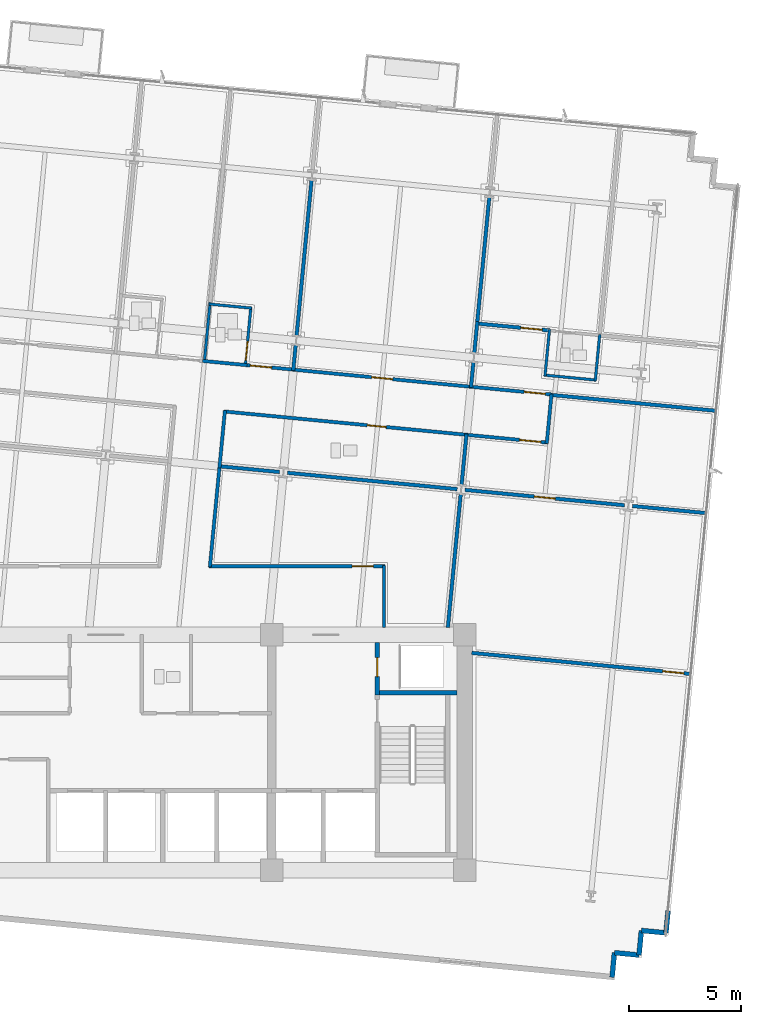
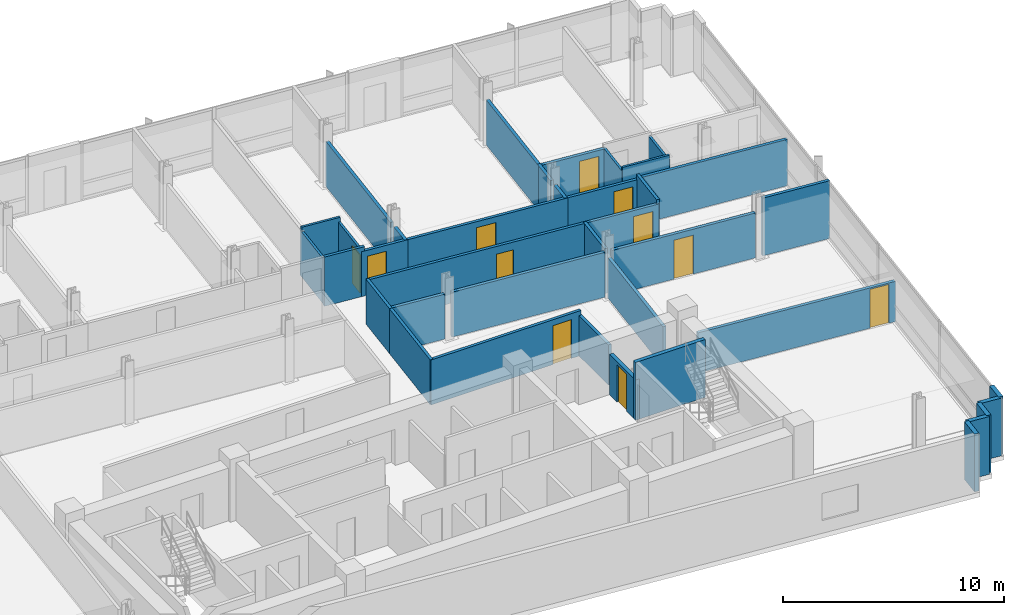
# One storey, part 12 of 17: 38 walls, 11 doors, 11 openings.
"""IFC4 building model written with IfcOpenShell, lengths in metres."""

from ifc_helpers import new_model, si_unit, direction, frame, frame_2d, origin, place, context, subcontext, project, spatial, rectangle, extrude, material, layer, layer_set, type_object, element, fill, save


model = new_model("IFC4")

# Units and contexts
model_context = context("Model", 3, precision=1e-05, world=origin(), true_north=direction((0.0, 1.0)))
body_context = subcontext(model_context, "Body", "Model", "MODEL_VIEW")
ifc_project = project(units=[si_unit("LENGTHUNIT", "METRE"), si_unit("AREAUNIT", "SQUARE_METRE"), si_unit("VOLUMEUNIT", "CUBIC_METRE"), si_unit("PLANEANGLEUNIT", "RADIAN"), si_unit("MASSUNIT", "GRAM", prefix="KILO")], contexts=[model_context])

# Site, building, storey
site_placement = place(None, origin())
site = spatial("IfcSite", under=ifc_project, at=site_placement, CompositionType="ELEMENT")
building_placement = place(site_placement, origin())
building = spatial("IfcBuilding", under=site, at=building_placement, Name="Solmavex Isthmus Hotel", CompositionType="ELEMENT")
storey_placement = place(building_placement, frame((0.0, 0.0, 170.39990234375)))
storey = spatial("IfcBuildingStorey", under=building, at=storey_placement, Name="L46", CompositionType="ELEMENT", Elevation=170.39990234375)

# Walls
ifc_material_1 = material(Name="Precast Concrete C40/50", Category="concrete")
ifc_layer_1 = layer(ifc_material_1, 0.25)
ifc_layer_set_1 = layer_set([ifc_layer_1], Name="Precast Concrete C40/50")
wall_type_1 = type_object("IfcWallType", Name="EW-TWR-250", PredefinedType="STANDARD", material=ifc_layer_set_1)
wall_1_placement = place(storey_placement, frame((25.0615234375, -14.804931640625, 0.0), z_axis=(0.0, 0.0, 1.0), x_axis=(-0.095914428506, -0.995389583231, 0.0)))
element("IfcWall", 1, at=wall_1_placement, inside=storey, type_object=wall_type_1, Name="Serrated Corner Facade Panel L46-21", PredefinedType="STANDARD", context=body_context, shape_type="SweptSolid", body=[
    extrude(rectangle(XDim=0.990234375, YDim=0.219970703125, at=frame_2d((0.4951171875, 0.0))), origin(), (0.0, 0.0, 1.0), 3.190185546875),
])
for number, where, z_axis, x_axis, name in (
    (2, (24.966552734375, -15.79052734375, 0.0), (0.0, 0.0, 1.0), (-0.995393156894, 0.095877334176, 0.0), "Serrated Corner Facade Panel L46-22"),
    (3, (23.87158203125, -15.68505859375, 0.0), (0.0, 0.0, 1.0), (-0.095877334176, -0.995393156894, 0.0), "Serrated Corner Facade Panel L46-23"),
    (4, (23.76611328125, -16.780029296875, 0.0), (0.0, 0.0, 1.0), (-0.995393156894, 0.095877334176, 0.0), "Serrated Corner Facade Panel L46-24"),
    (5, (22.671142578125, -16.674560546875, 0.0), (0.0, 0.0, 1.0), (-0.095657429048, -0.995414313875, 0.0), "Serrated Corner Facade Panel L46-25"),
):
    element("IfcWall", number, at=place(storey_placement, frame(where, z_axis=z_axis, x_axis=x_axis)), inside=storey, type_object=wall_type_1, Name=name, PredefinedType="STANDARD", context=body_context, shape_type="SweptSolid", body=[
        extrude(rectangle(XDim=1.10009765625, YDim=0.219970703125, at=frame_2d((0.550048828125, 0.0))), origin(), (0.0, 0.0, 1.0), 3.190185546875),
    ])
ifc_material_2 = material(Name="Gypsum plasterboard lining", Category="gypsum")
ifc_layer_2 = layer(ifc_material_2, 0.159912109375)
ifc_layer_set_2 = layer_set([ifc_layer_2], Name="Gypsum plasterboard lining")
wall_type_2 = type_object("IfcWallType", Name="IW-COMP-160", PredefinedType="PARTITIONING", material=ifc_layer_set_2)
wall_2_placement = place(storey_placement, frame((8.469970703125, 10.433349609375, 0.0), z_axis=(0.0, 0.0, 1.0), x_axis=(-0.095831494917, -0.995397571115, 0.0)))
element("IfcWall", 6, at=wall_2_placement, inside=storey, type_object=wall_type_2, Name="Interior Partition Wall W-L46-P047", PredefinedType="PARTITIONING", context=body_context, shape_type="SweptSolid", body=[
    extrude(rectangle(XDim=1.171875, YDim=0.159912109375, at=frame_2d((0.5859375, 0.0))), origin(), (0.0, 0.0, 1.0), 2.4794921875),
])
wall_3_placement = place(storey_placement, frame((9.178466796875, 17.791259765625, 0.0), z_axis=(0.0, 0.0, 1.0), x_axis=(-0.095853155488, -0.995395485515, 0.0)))
element("IfcWall", 7, at=wall_3_placement, inside=storey, type_object=wall_type_2, Name="Interior Partition Wall W-L46-P048", PredefinedType="PARTITIONING", context=body_context, shape_type="SweptSolid", body=[
    extrude(rectangle(XDim=7.0400390625, YDim=0.159912109375, at=frame_2d((3.52001953125, 0.0))), origin(), (0.0, 0.0, 1.0), 2.4794921875),
])
wall_4_placement = place(storey_placement, frame((16.389404296875, 9.6708984375, 0.0), z_axis=(0.0, 0.0, 1.0), x_axis=(-0.095811626391, -0.995399483749, 0.0)))
element("IfcWall", 8, at=wall_4_placement, inside=storey, type_object=wall_type_2, Name="Interior Partition Wall W-L46-P050", PredefinedType="PARTITIONING", context=body_context, shape_type="SweptSolid", body=[
    extrude(rectangle(XDim=1.172119140625, YDim=0.159912109375, at=frame_2d((0.5859375, 0.0))), origin(), (0.0, 0.0, 1.0), 2.4794921875),
])
wall_5_placement = place(storey_placement, frame((16.56005859375, 11.442626953125, 0.0), z_axis=(0.0, 0.0, 1.0), x_axis=(-0.095914386544, -0.995389587274, 0.0)))
element("IfcWall", 9, at=wall_5_placement, inside=storey, type_object=wall_type_2, Name="Interior Partition Wall W-L46-P051", PredefinedType="PARTITIONING", context=body_context, shape_type="SweptSolid", body=[
    extrude(rectangle(XDim=1.427978515625, YDim=0.159912109375, at=frame_2d((0.7138671875, 0.0))), origin(), (0.0, 0.0, 1.0), 2.4794921875),
])
wall_6_placement = place(storey_placement, frame((17.097900390625, 17.02880859375, 0.0), z_axis=(0.0, 0.0, 1.0), x_axis=(-0.095862207393, -0.995394613806, 0.0)))
element("IfcWall", 10, at=wall_6_placement, inside=storey, type_object=wall_type_2, Name="Interior Partition Wall W-L46-P052", PredefinedType="PARTITIONING", context=body_context, shape_type="SweptSolid", body=[
    extrude(rectangle(XDim=5.776123046875, YDim=0.159912109375, at=frame_2d((2.88818359375, 0.0))), origin(), (0.0, 0.0, 1.0), 2.4794921875),
])

# Wall, opening, door
wall_7_placement = place(storey_placement, frame((16.512451171875, 11.36474609375, 0.0), z_axis=(0.0, 0.0, 1.0), x_axis=(0.995395926563, -0.095848575269, 0.0)))
wall_7 = element("IfcWall", 11, at=wall_7_placement, inside=storey, type_object=wall_type_2, Name="Interior Partition Wall W-L46-P054", PredefinedType="PARTITIONING", context=body_context, shape_type="SweptSolid", body=[
    extrude(rectangle(XDim=3.313720703125, YDim=0.159912109375, at=frame_2d((1.65673828125, 0.0))), origin(), (0.0, 0.0, 1.0), 2.4794921875),
])
opening_1_placement = place(wall_7_placement, frame((1.9970703125, 0.0, 0.0)))
opening_1 = element("IfcOpeningElement", 12, at=opening_1_placement, cuts=wall_7, Name="Opening ID-C095", PredefinedType="OPENING", context=body_context, shape_type="SweptSolid", body=[
    extrude(rectangle(XDim=0.949951171875, YDim=2.14990234375, at=frame_2d((0.47509765625, 1.074951171875))), frame((0.0, 0.08984375, 0.0), z_axis=(0.0, -1.0, 0.0), x_axis=(1.0, 0.0, 0.0)), (0.0, 0.0, 1.0), 0.179931640625),
])
ifc_material_3 = material(Name="Hardwood timber", Category="wood")
door_type_1 = type_object("IfcDoorType", Name="IDR-FD60-0950", OperationType="NOTDEFINED", PredefinedType="DOOR", material=ifc_material_3)
door_1_placement = place(opening_1_placement, origin())
door_1 = element("IfcDoor", 13, at=door_1_placement, inside=storey, type_object=door_type_1, Name="Ambassador Panorama Suite Master Bedroom Door L46-12", OperationType="SINGLE_SWING_RIGHT", OverallHeight=2.14990234375, OverallWidth=0.949951171875, PredefinedType="DOOR", context=body_context, shape_type="SweptSolid", body=[
    extrude(rectangle(XDim=0.949951171875, YDim=2.14990234375, at=frame_2d((0.47509765625, 1.074951171875))), frame((0.0, 0.02490234375, 0.0), z_axis=(0.0, -1.0, 0.0), x_axis=(1.0, 0.0, 0.0)), (0.0, 0.0, 1.0), 0.050048828125),
])
fill(opening_1, door_1)

# Walls
wall_8_placement = place(storey_placement, frame((27.236328125, 7.468994140625, 0.0), z_axis=(0.0, 0.0, 1.0), x_axis=(-0.995396228159, 0.095845443117, 0.0)))
element("IfcWall", 14, at=wall_8_placement, inside=storey, type_object=wall_type_2, Name="Interior Partition Wall W-L46-P059", PredefinedType="PARTITIONING", context=body_context, shape_type="SweptSolid", body=[
    extrude(rectangle(XDim=7.447998046875, YDim=0.159912109375, at=frame_2d((3.72412109375, 0.0))), origin(), (0.0, 0.0, 1.0), 2.5576171875),
])
wall_9_placement = place(storey_placement, frame((16.07861328125, 6.44384765625, 0.0), z_axis=(0.0, 0.0, 1.0), x_axis=(-0.095794827695, -0.995401100555, 0.0)))
element("IfcWall", 15, at=wall_9_placement, inside=storey, type_object=wall_type_2, Name="Interior Partition Wall W-L46-P062", PredefinedType="PARTITIONING", context=body_context, shape_type="SweptSolid", body=[
    extrude(rectangle(XDim=2.314208984375, YDim=0.159912109375, at=frame_2d((1.1572265625, 0.0))), origin(), (0.0, 0.0, 1.0), 2.4794921875),
])
wall_10_placement = place(storey_placement, frame((7.745361328125, 4.74462890625, 0.0), z_axis=(0.0, 0.0, 1.0), x_axis=(-0.995392910691, 0.095879890208, 0.0)))
element("IfcWall", 16, at=wall_10_placement, inside=storey, type_object=wall_type_2, Name="Interior Partition Wall W-L46-P063", PredefinedType="PARTITIONING", context=body_context, shape_type="SweptSolid", body=[
    extrude(rectangle(XDim=2.721923828125, YDim=0.159912109375, at=frame_2d((1.36083984375, 0.0))), origin(), (0.0, 0.0, 1.0), 2.4794921875),
])
wall_11_placement = place(storey_placement, frame((15.664794921875, 3.982177734375, 0.0), z_axis=(0.0, 0.0, 1.0), x_axis=(-0.995396667246, 0.095840882902, 0.0)))
element("IfcWall", 17, at=wall_11_placement, inside=storey, type_object=wall_type_2, Name="Interior Partition Wall W-L46-P064", PredefinedType="PARTITIONING", context=body_context, shape_type="SweptSolid", body=[
    extrude(rectangle(XDim=7.603759765625, YDim=0.159912109375, at=frame_2d((3.8017578125, 0.0))), origin(), (0.0, 0.0, 1.0), 2.4794921875),
])

# Wall, opening, door
wall_12_placement = place(storey_placement, frame((23.118408203125, 3.264404296875, 0.0), z_axis=(0.0, 0.0, 1.0), x_axis=(-0.995397927648, 0.095827791557, 0.0)))
wall_12 = element("IfcWall", 18, at=wall_12_placement, inside=storey, type_object=wall_type_2, Name="Interior Partition Wall W-L46-P068", PredefinedType="PARTITIONING", context=body_context, shape_type="SweptSolid", body=[
    extrude(rectangle(XDim=7.13623046875, YDim=0.159912109375, at=frame_2d((3.568115234375, 0.0))), origin(), (0.0, 0.0, 1.0), 2.4794921875),
])
opening_2_placement = place(wall_12_placement, frame((3.093017578125, 0.0, 0.0)))
opening_2 = element("IfcOpeningElement", 19, at=opening_2_placement, cuts=wall_12, Name="Opening ID-C095", PredefinedType="OPENING", context=body_context, shape_type="SweptSolid", body=[
    extrude(rectangle(XDim=0.949951171875, YDim=2.14990234375, at=frame_2d((0.47509765625, 1.074951171875))), frame((0.0, 0.08984375, 0.0), z_axis=(0.0, -1.0, 0.0), x_axis=(1.0, 0.0, 0.0)), (0.0, 0.0, 1.0), 0.179931640625),
])
door_2_placement = place(opening_2_placement, origin())
door_2 = element("IfcDoor", 20, at=door_2_placement, inside=storey, type_object=door_type_1, Name="Corporate Briefing Office Door L46-20", OperationType="SINGLE_SWING_RIGHT", OverallHeight=2.14990234375, OverallWidth=0.949951171875, PredefinedType="DOOR", context=body_context, shape_type="SweptSolid", body=[
    extrude(rectangle(XDim=0.949951171875, YDim=2.14990234375, at=frame_2d((0.47509765625, 1.074951171875))), frame((0.0, 0.02490234375, 0.0), z_axis=(0.0, -1.0, 0.0), x_axis=(1.0, 0.0, 0.0)), (0.0, 0.0, 1.0), 0.050048828125),
])
fill(opening_2, door_2)

# Walls
wall_13_placement = place(storey_placement, frame((26.79736328125, 2.91015625, 0.0), z_axis=(0.0, 0.0, 1.0), x_axis=(-0.995394839216, 0.095859866796, 0.0)))
element("IfcWall", 21, at=wall_13_placement, inside=storey, type_object=wall_type_2, Name="Interior Partition Wall W-L46-P069", PredefinedType="PARTITIONING", context=body_context, shape_type="SweptSolid", body=[
    extrude(rectangle(XDim=3.343994140625, YDim=0.159912109375, at=frame_2d((1.671875, 0.0))), origin(), (0.0, 0.0, 1.0), 3.190185546875),
])
wall_14_placement = place(storey_placement, frame((15.8232421875, 3.7900390625, 0.0), z_axis=(0.0, 0.0, 1.0), x_axis=(-0.095865726078, -0.99539427493, 0.0)))
element("IfcWall", 22, at=wall_14_placement, inside=storey, type_object=wall_type_2, Name="Interior Partition Wall W-L46-P073", PredefinedType="PARTITIONING", context=body_context, shape_type="SweptSolid", body=[
    extrude(rectangle(XDim=6.007568359375, YDim=0.159912109375, at=frame_2d((3.00390625, 0.0))), origin(), (0.0, 0.0, 1.0), 2.22509765625),
])

# Wall, opening, door
wall_15_placement = place(storey_placement, frame((26.107177734375, -4.256591796875, 0.0), z_axis=(0.0, 0.0, 1.0), x_axis=(-0.995396158646, 0.095846165043, 0.0)))
wall_15 = element("IfcWall", 23, at=wall_15_placement, inside=storey, type_object=wall_type_2, Name="Interior Partition Wall W-L46-P074", PredefinedType="PARTITIONING", context=body_context, shape_type="SweptSolid", body=[
    extrude(rectangle(XDim=9.842529296875, YDim=0.159912109375, at=frame_2d((4.92138671875, 0.0))), origin(), (0.0, 0.0, 1.0), 2.22509765625),
])
opening_3_placement = place(wall_15_placement, frame((0.345947265625, 0.0, 0.0)))
opening_3 = element("IfcOpeningElement", 24, at=opening_3_placement, cuts=wall_15, Name="Opening ID-C095", PredefinedType="OPENING", context=body_context, shape_type="SweptSolid", body=[
    extrude(rectangle(XDim=0.949951171875, YDim=2.14990234375, at=frame_2d((0.47509765625, 1.074951171875))), frame((0.0, 0.08984375, 0.0), z_axis=(0.0, -1.0, 0.0), x_axis=(1.0, 0.0, 0.0)), (0.0, 0.0, 1.0), 0.179931640625),
])
door_3_placement = place(opening_3_placement, origin())
door_3 = element("IfcDoor", 25, at=door_3_placement, inside=storey, type_object=door_type_1, Name="Corporate Briefing Office Door L46-21", OperationType="SINGLE_SWING_LEFT", OverallHeight=2.14990234375, OverallWidth=0.949951171875, PredefinedType="DOOR", context=body_context, shape_type="SweptSolid", body=[
    extrude(rectangle(XDim=0.949951171875, YDim=2.14990234375, at=frame_2d((0.47509765625, 1.074951171875))), frame((0.0, 0.02490234375, 0.0), z_axis=(0.0, -1.0, 0.0), x_axis=(1.0, 0.0, 0.0)), (0.0, 0.0, 1.0), 0.050048828125),
])
fill(opening_3, door_3)

ifc_layer_3 = layer(ifc_material_2, 0.14990234375)
ifc_layer_set_3 = layer_set([ifc_layer_3], Name="Gypsum plasterboard lining")
wall_type_3 = type_object("IfcWallType", Name="IW-CORR-150", PredefinedType="PARTITIONING", material=ifc_layer_set_3)
wall_16_placement = place(storey_placement, frame((6.1416015625, 9.520263671875, 0.0), z_axis=(0.0, 0.0, 1.0), x_axis=(0.995403417039, -0.095770754137, 0.0)))
wall_16 = element("IfcWall", 26, at=wall_16_placement, inside=storey, type_object=wall_type_3, Name="Interior Partition Wall W-L46-P008", PredefinedType="PARTITIONING", context=body_context, shape_type="SweptSolid", body=[
    extrude(rectangle(XDim=2.312255859375, YDim=0.14990234375, at=frame_2d((1.15625, 0.0))), origin(), (0.0, 0.0, 1.0), 2.4794921875),
])
opening_4_placement = place(wall_16_placement, frame((0.30615234375, 0.0, 0.0)))
opening_4 = element("IfcOpeningElement", 27, at=opening_4_placement, cuts=wall_16, Name="Opening ID-C095", PredefinedType="OPENING", context=body_context, shape_type="SweptSolid", body=[
    extrude(rectangle(XDim=0.949951171875, YDim=2.14990234375, at=frame_2d((0.47509765625, 1.074951171875))), frame((0.0, 0.0849609375, 0.0), z_axis=(0.0, -1.0, 0.0), x_axis=(1.0, 0.0, 0.0)), (0.0, 0.0, 1.0), 0.169921875),
])
door_4_placement = place(opening_4_placement, frame((0.949951171875, 0.0, 0.0), z_axis=(0.0, 0.0, 1.0), x_axis=(-1.0, 0.0, 0.0)))
door_4 = element("IfcDoor", 28, at=door_4_placement, inside=storey, type_object=door_type_1, Name="Spa Corner Suite Door L46-08", OperationType="SINGLE_SWING_RIGHT", OverallHeight=2.14990234375, OverallWidth=0.949951171875, PredefinedType="DOOR", context=body_context, shape_type="SweptSolid", body=[
    extrude(rectangle(XDim=0.949951171875, YDim=2.14990234375, at=frame_2d((0.47509765625, 1.074951171875))), frame((0.0, 0.02490234375, 0.0), z_axis=(0.0, -1.0, 0.0), x_axis=(1.0, 0.0, 0.0)), (0.0, 0.0, 1.0), 0.050048828125),
])
fill(opening_4, door_4)

# Wall
wall_17_placement = place(storey_placement, frame((4.3203125, 9.69580078125, 0.0), z_axis=(0.0, 0.0, 1.0), x_axis=(0.995393086543, -0.095878064554, 0.0)))
element("IfcWall", 29, at=wall_17_placement, inside=storey, type_object=wall_type_3, Name="Interior Partition Wall W-L46-P009", PredefinedType="PARTITIONING", context=body_context, shape_type="SweptSolid", body=[
    extrude(rectangle(XDim=1.993896484375, YDim=0.14990234375, at=frame_2d((0.9970703125, 0.0))), origin(), (0.0, 0.0, 1.0), 2.71826171875),
])

# Wall, opening, door
wall_18_placement = place(storey_placement, frame((8.280029296875, 9.314453125, 0.0), z_axis=(0.0, 0.0, 1.0), x_axis=(0.995395467524, -0.095853342309, 0.0)))
wall_18 = element("IfcWall", 30, at=wall_18_placement, inside=storey, type_object=wall_type_3, Name="Interior Partition Wall W-L46-P010", PredefinedType="PARTITIONING", context=body_context, shape_type="SweptSolid", body=[
    extrude(rectangle(XDim=8.119873046875, YDim=0.14990234375, at=frame_2d((4.06005859375, 0.0))), origin(), (0.0, 0.0, 1.0), 2.4794921875),
])
opening_5_placement = place(wall_18_placement, frame((3.5849609375, 0.0, 0.0)))
opening_5 = element("IfcOpeningElement", 31, at=opening_5_placement, cuts=wall_18, Name="Opening ID-C095", PredefinedType="OPENING", context=body_context, shape_type="SweptSolid", body=[
    extrude(rectangle(XDim=0.949951171875, YDim=2.14990234375, at=frame_2d((0.47509765625, 1.074951171875))), frame((0.0, 0.0849609375, 0.0), z_axis=(0.0, -1.0, 0.0), x_axis=(1.0, 0.0, 0.0)), (0.0, 0.0, 1.0), 0.169921875),
])
door_5_placement = place(opening_5_placement, frame((0.949951171875, 0.0, 0.0), z_axis=(0.0, 0.0, 1.0), x_axis=(-1.0, 0.0, 0.0)))
door_5 = element("IfcDoor", 32, at=door_5_placement, inside=storey, type_object=door_type_1, Name="Wellness Hydrotherapy Lounge Door L46-10", OperationType="SINGLE_SWING_RIGHT", OverallHeight=2.14990234375, OverallWidth=0.949951171875, PredefinedType="DOOR", context=body_context, shape_type="SweptSolid", body=[
    extrude(rectangle(XDim=0.949951171875, YDim=2.14990234375, at=frame_2d((0.47509765625, 1.074951171875))), frame((0.0, 0.02490234375, 0.0), z_axis=(0.0, -1.0, 0.0), x_axis=(1.0, 0.0, 0.0)), (0.0, 0.0, 1.0), 0.050048828125),
])
fill(opening_5, door_5)

wall_19_placement = place(storey_placement, frame((16.19921875, 8.552001953125, 0.0), z_axis=(0.0, 0.0, 1.0), x_axis=(0.995391104887, -0.095898635608, 0.0)))
wall_19 = element("IfcWall", 33, at=wall_19_placement, inside=storey, type_object=wall_type_3, Name="Interior Partition Wall W-L46-P011", PredefinedType="PARTITIONING", context=body_context, shape_type="SweptSolid", body=[
    extrude(rectangle(XDim=3.721923828125, YDim=0.14990234375, at=frame_2d((1.86083984375, 0.0))), origin(), (0.0, 0.0, 1.0), 2.4794921875),
])
opening_6_placement = place(wall_19_placement, frame((2.456787109375, 0.0, 0.0)))
opening_6 = element("IfcOpeningElement", 34, at=opening_6_placement, cuts=wall_19, Name="Opening ID-C095", PredefinedType="OPENING", context=body_context, shape_type="SweptSolid", body=[
    extrude(rectangle(XDim=0.949951171875, YDim=2.14990234375, at=frame_2d((0.47509765625, 1.074951171875))), frame((0.0, 0.0849609375, 0.0), z_axis=(0.0, -1.0, 0.0), x_axis=(1.0, 0.0, 0.0)), (0.0, 0.0, 1.0), 0.169921875),
])
door_6_placement = place(opening_6_placement, frame((0.949951171875, 0.0, 0.0), z_axis=(0.0, 0.0, 1.0), x_axis=(-1.0, 0.0, 0.0)))
door_6 = element("IfcDoor", 35, at=door_6_placement, inside=storey, type_object=door_type_1, Name="Ambassador Panorama Suite Living Salon Door L46-11", OperationType="SINGLE_SWING_LEFT", OverallHeight=2.14990234375, OverallWidth=0.949951171875, PredefinedType="DOOR", context=body_context, shape_type="SweptSolid", body=[
    extrude(rectangle(XDim=0.949951171875, YDim=2.14990234375, at=frame_2d((0.47509765625, 1.074951171875))), frame((0.0, 0.02490234375, 0.0), z_axis=(0.0, -1.0, 0.0), x_axis=(1.0, 0.0, 0.0)), (0.0, 0.0, 1.0), 0.050048828125),
])
fill(opening_6, door_6)

wall_20_placement = place(storey_placement, frame((16.156494140625, 6.39599609375, 0.0), z_axis=(0.0, 0.0, 1.0), x_axis=(-0.99539478422, 0.095860437863, 0.0)))
wall_20 = element("IfcWall", 36, at=wall_20_placement, inside=storey, type_object=wall_type_3, Name="Interior Partition Wall W-L46-P012", PredefinedType="PARTITIONING", context=body_context, shape_type="SweptSolid", body=[
    extrude(rectangle(XDim=10.93603515625, YDim=0.14990234375, at=frame_2d((5.468017578125, 0.0))), origin(), (0.0, 0.0, 1.0), 2.4794921875),
])
opening_7_placement = place(wall_20_placement, frame((3.675048828125, 0.0, 0.0)))
opening_7 = element("IfcOpeningElement", 37, at=opening_7_placement, cuts=wall_20, Name="Opening ID-R085", PredefinedType="OPENING", context=body_context, shape_type="SweptSolid", body=[
    extrude(rectangle(XDim=0.85009765625, YDim=2.050048828125, at=frame_2d((0.425048828125, 1.02490234375))), frame((0.0, 0.0849609375, 0.0), z_axis=(0.0, -1.0, 0.0), x_axis=(1.0, 0.0, 0.0)), (0.0, 0.0, 1.0), 0.169921875),
])
ifc_material_4 = material(Name="Steel ASTM A500 Grade C", Category="steel")
door_type_2 = type_object("IfcDoorType", Name="IDR-FD60-0850", OperationType="NOTDEFINED", PredefinedType="DOOR", material=ifc_material_4)
door_7_placement = place(opening_7_placement, frame((0.85009765625, 0.0, 0.0), z_axis=(0.0, 0.0, 1.0), x_axis=(-1.0, 0.0, 0.0)))
door_7 = element("IfcDoor", 38, at=door_7_placement, inside=storey, type_object=door_type_2, Name="Accessible Public Restroom WC Door L46-15", OperationType="SINGLE_SWING_LEFT", OverallHeight=2.050048828125, OverallWidth=0.85009765625, PredefinedType="DOOR", context=body_context, shape_type="SweptSolid", body=[
    extrude(rectangle(XDim=0.85009765625, YDim=2.050048828125, at=frame_2d((0.425048828125, 1.02490234375))), frame((0.0, 0.02490234375, 0.0), z_axis=(0.0, -1.0, 0.0), x_axis=(1.0, 0.0, 0.0)), (0.0, 0.0, 1.0), 0.050048828125),
])
fill(opening_7, door_7)

# Walls
wall_21_placement = place(storey_placement, frame((5.314453125, 7.480224609375, 0.0), z_axis=(0.0, 0.0, 1.0), x_axis=(-0.09587519517, -0.995393362923, 0.0)))
element("IfcWall", 39, at=wall_21_placement, inside=storey, type_object=wall_type_3, Name="Interior Partition Wall W-L46-P013", PredefinedType="PARTITIONING", context=body_context, shape_type="SweptSolid", body=[
    extrude(rectangle(XDim=2.572021484375, YDim=0.14990234375, at=frame_2d((1.2861328125, 0.0))), origin(), (0.0, 0.0, 1.0), 2.4794921875),
])
wall_22_placement = place(storey_placement, frame((19.8662109375, 8.218994140625, 0.0), z_axis=(0.0, 0.0, 1.0), x_axis=(-0.095773447772, -0.995403157872, 0.0)))
element("IfcWall", 40, at=wall_22_placement, inside=storey, type_object=wall_type_3, Name="Interior Partition Wall W-L46-P016", PredefinedType="PARTITIONING", context=body_context, shape_type="SweptSolid", body=[
    extrude(rectangle(XDim=2.210205078125, YDim=0.14990234375, at=frame_2d((1.10498046875, 0.0))), origin(), (0.0, 0.0, 1.0), 2.71826171875),
])

# Wall, opening, door
wall_23_placement = place(storey_placement, frame((19.697998046875, 6.05517578125, 0.0), z_axis=(0.0, 0.0, 1.0), x_axis=(-0.995397364202, 0.095833644092, 0.0)))
wall_23 = element("IfcWall", 41, at=wall_23_placement, inside=storey, type_object=wall_type_3, Name="Interior Partition Wall W-L46-P017", PredefinedType="PARTITIONING", context=body_context, shape_type="SweptSolid", body=[
    extrude(rectangle(XDim=3.721923828125, YDim=0.14990234375, at=frame_2d((1.86083984375, 0.0))), origin(), (0.0, 0.0, 1.0), 2.4794921875),
])
opening_8_placement = place(wall_23_placement, frame((0.315185546875, 0.0, 0.0)))
opening_8 = element("IfcOpeningElement", 42, at=opening_8_placement, cuts=wall_23, Name="Opening ID-C095", PredefinedType="OPENING", context=body_context, shape_type="SweptSolid", body=[
    extrude(rectangle(XDim=0.949951171875, YDim=2.14990234375, at=frame_2d((0.47509765625, 1.074951171875))), frame((0.0, 0.0849609375, 0.0), z_axis=(0.0, -1.0, 0.0), x_axis=(1.0, 0.0, 0.0)), (0.0, 0.0, 1.0), 0.169921875),
])
door_8_placement = place(opening_8_placement, frame((0.949951171875, 0.0, 0.0), z_axis=(0.0, 0.0, 1.0), x_axis=(-1.0, 0.0, 0.0)))
door_8 = element("IfcDoor", 43, at=door_8_placement, inside=storey, type_object=door_type_1, Name="Wellness Reading Library Door L46-17", OperationType="SINGLE_SWING_LEFT", OverallHeight=2.14990234375, OverallWidth=0.949951171875, PredefinedType="DOOR", context=body_context, shape_type="SweptSolid", body=[
    extrude(rectangle(XDim=0.949951171875, YDim=2.14990234375, at=frame_2d((0.47509765625, 1.074951171875))), frame((0.0, 0.02490234375, 0.0), z_axis=(0.0, -1.0, 0.0), x_axis=(1.0, 0.0, 0.0)), (0.0, 0.0, 1.0), 0.050048828125),
])
fill(opening_8, door_8)

# Wall
wall_24_placement = place(storey_placement, frame((5.083740234375, 5.083251953125, 0.0), z_axis=(0.0, 0.0, 1.0), x_axis=(-0.095867331855, -0.995394120277, 0.0)))
element("IfcWall", 44, at=wall_24_placement, inside=storey, type_object=wall_type_3, Name="Interior Partition Wall W-L46-P020", PredefinedType="PARTITIONING", context=body_context, shape_type="SweptSolid", body=[
    extrude(rectangle(XDim=4.59423828125, YDim=0.14990234375, at=frame_2d((2.297119140625, 0.0))), origin(), (0.0, 0.0, 1.0), 2.4794921875),
])

# Wall, opening, door
wall_25_placement = place(storey_placement, frame((4.607177734375, 0.550048828125, 0.0), z_axis=(0.0, 0.0, 1.0), x_axis=(1.0, 0.0, 0.0)))
wall_25 = element("IfcWall", 45, at=wall_25_placement, inside=storey, type_object=wall_type_3, Name="Interior Partition Wall W-L46-P021", PredefinedType="PARTITIONING", context=body_context, shape_type="SweptSolid", body=[
    extrude(rectangle(XDim=7.832763671875, YDim=0.14990234375, at=frame_2d((3.91650390625, 0.0))), origin(), (0.0, 0.0, 1.0), 2.4794921875),
])
opening_9_placement = place(wall_25_placement, frame((6.3720703125, 0.0, 0.0)))
opening_9 = element("IfcOpeningElement", 46, at=opening_9_placement, cuts=wall_25, Name="Opening ID-C095", PredefinedType="OPENING", context=body_context, shape_type="SweptSolid", body=[
    extrude(rectangle(XDim=0.949951171875, YDim=2.14990234375, at=frame_2d((0.47509765625, 1.074951171875))), frame((0.0, 0.0849609375, 0.0), z_axis=(0.0, -1.0, 0.0), x_axis=(1.0, 0.0, 0.0)), (0.0, 0.0, 1.0), 0.169921875),
])
door_9_placement = place(opening_9_placement, origin())
door_9 = element("IfcDoor", 47, at=door_9_placement, inside=storey, type_object=door_type_1, Name="Wellness Reading Library Door L46-19", OperationType="SINGLE_SWING_LEFT", OverallHeight=2.14990234375, OverallWidth=0.949951171875, PredefinedType="DOOR", context=body_context, shape_type="SweptSolid", body=[
    extrude(rectangle(XDim=0.949951171875, YDim=2.14990234375, at=frame_2d((0.47509765625, 1.074951171875))), frame((0.0, 0.02490234375, 0.0), z_axis=(0.0, -1.0, 0.0), x_axis=(1.0, 0.0, 0.0)), (0.0, 0.0, 1.0), 0.050048828125),
])
fill(opening_9, door_9)

# Walls
wall_26_placement = place(storey_placement, frame((12.39990234375, 0.590087890625, 0.0), z_axis=(0.0, 0.0, 1.0), x_axis=(0.0, -1.0, 0.0)))
element("IfcWall", 48, at=wall_26_placement, inside=storey, type_object=wall_type_3, Name="Interior Partition Wall W-L46-P022", PredefinedType="PARTITIONING", context=body_context, shape_type="SweptSolid", body=[
    extrude(rectangle(XDim=2.780029296875, YDim=0.14990234375, at=frame_2d((1.39013671875, 0.0))), origin(), (0.0, 0.0, 1.0), 2.22509765625),
])
ifc_layer_4 = layer(ifc_material_2, 0.1201171875)
ifc_layer_set_4 = layer_set([ifc_layer_4], Name="Gypsum plasterboard lining")
wall_type_4 = type_object("IfcWallType", Name="IW-PART-120", PredefinedType="PARTITIONING", material=ifc_layer_set_4)
wall_27_placement = place(storey_placement, frame((4.654052734375, 12.307861328125, 0.0), z_axis=(0.0, 0.0, 1.0), x_axis=(-0.095839490098, -0.99539680135, 0.0)))
element("IfcWall", 49, at=wall_27_placement, inside=storey, type_object=wall_type_4, Name="Interior Partition Wall W-L46-P044", PredefinedType="PARTITIONING", context=body_context, shape_type="SweptSolid", body=[
    extrude(rectangle(XDim=2.672119140625, YDim=0.1201171875, at=frame_2d((1.3359375, 0.0))), origin(), (0.0, 0.0, 1.0), 2.4794921875),
])

# Wall, opening, door
wall_28_placement = place(storey_placement, frame((6.219482421875, 9.47265625, 0.0), z_axis=(0.0, 0.0, 1.0), x_axis=(0.095799078022, 0.995400691506, 0.0)))
wall_28 = element("IfcWall", 50, at=wall_28_placement, inside=storey, type_object=wall_type_4, Name="Interior Partition Wall W-L46-P045", PredefinedType="PARTITIONING", context=body_context, shape_type="SweptSolid", body=[
    extrude(rectangle(XDim=2.630126953125, YDim=0.1201171875, at=frame_2d((1.31494140625, 0.0))), origin(), (0.0, 0.0, 1.0), 2.4794921875),
])
opening_10_placement = place(wall_28_placement, frame((0.247314453125, 0.0, 0.0)))
opening_10 = element("IfcOpeningElement", 51, at=opening_10_placement, cuts=wall_28, Name="Opening ID-U085", PredefinedType="OPENING", context=body_context, shape_type="SweptSolid", body=[
    extrude(rectangle(XDim=0.85009765625, YDim=2.10009765625, at=frame_2d((0.425048828125, 1.050048828125))), frame((0.0, 0.070068359375, 0.0), z_axis=(0.0, -1.0, 0.0), x_axis=(1.0, 0.0, 0.0)), (0.0, 0.0, 1.0), 0.14013671875),
])
door_type_3 = type_object("IfcDoorType", Name="IDR-UNR-0850", OperationType="NOTDEFINED", PredefinedType="DOOR", material=ifc_material_3)
door_10_placement = place(opening_10_placement, origin())
door_10 = element("IfcDoor", 52, at=door_10_placement, inside=storey, type_object=door_type_3, Name="En-suite Bathroom Door L46-09", OperationType="SINGLE_SWING_LEFT", OverallHeight=2.10009765625, OverallWidth=0.85009765625, PredefinedType="DOOR", context=body_context, shape_type="SweptSolid", body=[
    extrude(rectangle(XDim=0.85009765625, YDim=2.10009765625, at=frame_2d((0.425048828125, 1.050048828125))), frame((0.0, 0.02490234375, 0.0), z_axis=(0.0, -1.0, 0.0), x_axis=(1.0, 0.0, 0.0)), (0.0, 0.0, 1.0), 0.050048828125),
])
fill(opening_10, door_10)

# Walls
wall_29_placement = place(storey_placement, frame((6.507568359375, 12.046875, 0.0), z_axis=(0.0, 0.0, 1.0), x_axis=(-0.995393793358, 0.095870726213, 0.0)))
element("IfcWall", 53, at=wall_29_placement, inside=storey, type_object=wall_type_4, Name="Interior Partition Wall W-L46-P046", PredefinedType="PARTITIONING", context=body_context, shape_type="SweptSolid", body=[
    extrude(rectangle(XDim=1.909912109375, YDim=0.1201171875, at=frame_2d((0.955078125, 0.0))), origin(), (0.0, 0.0, 1.0), 2.71826171875),
])
wall_30_placement = place(storey_placement, frame((19.775146484375, 11.0908203125, 0.0), z_axis=(0.0, 0.0, 1.0), x_axis=(-0.095900283372, -0.995390946136, 0.0)))
element("IfcWall", 54, at=wall_30_placement, inside=storey, type_object=wall_type_4, Name="Interior Partition Wall W-L46-P056", PredefinedType="PARTITIONING", context=body_context, shape_type="SweptSolid", body=[
    extrude(rectangle(XDim=2.079833984375, YDim=0.1201171875, at=frame_2d((1.0400390625, 0.0))), origin(), (0.0, 0.0, 1.0), 2.4794921875),
])
wall_31_placement = place(storey_placement, frame((19.539794921875, 9.064208984375, 0.0), z_axis=(0.0, 0.0, 1.0), x_axis=(0.995393658532, -0.095872126059, 0.0)))
element("IfcWall", 55, at=wall_31_placement, inside=storey, type_object=wall_type_4, Name="Interior Partition Wall W-L46-P057", PredefinedType="PARTITIONING", context=body_context, shape_type="SweptSolid", body=[
    extrude(rectangle(XDim=2.330078125, YDim=0.1201171875, at=frame_2d((1.1650390625, 0.0))), origin(), (0.0, 0.0, 1.0), 2.71826171875),
])
wall_32_placement = place(storey_placement, frame((21.8154296875, 8.8046875, 0.0), z_axis=(0.0, 0.0, 1.0), x_axis=(0.095772789588, 0.9954032212, 0.0)))
element("IfcWall", 56, at=wall_32_placement, inside=storey, type_object=wall_type_4, Name="Interior Partition Wall W-L46-P058", PredefinedType="PARTITIONING", context=body_context, shape_type="SweptSolid", body=[
    extrude(rectangle(XDim=2.080078125, YDim=0.1201171875, at=frame_2d((1.0400390625, 0.0))), origin(), (0.0, 0.0, 1.0), 2.4794921875),
])

# Wall, opening, door
ifc_material_5 = material(Name="Concrete C40/50", Category="concrete")
ifc_layer_5 = layer(ifc_material_5, 0.199951171875)
ifc_layer_set_5 = layer_set([ifc_layer_5], Name="Concrete C40/50")
wall_type_5 = type_object("IfcWallType", Name="IW-SHAFT-200", PredefinedType="PARTITIONING", material=ifc_layer_set_5)
wall_33_placement = place(storey_placement, frame((12.10009765625, -5.199951171875, 0.0), z_axis=(0.0, 0.0, 1.0), x_axis=(0.0, 1.0, 0.0)))
wall_33 = element("IfcWall", 57, at=wall_33_placement, inside=storey, type_object=wall_type_5, Name="Interior Partition Wall W-L46-RSE-W", PredefinedType="PARTITIONING", context=body_context, shape_type="SweptSolid", body=[
    extrude(rectangle(XDim=2.349853515625, YDim=0.199951171875, at=frame_2d((1.1748046875, 0.0))), origin(), (0.0, 0.0, 1.0), 2.22509765625),
])
opening_11_placement = place(wall_33_placement, frame((0.824951171875, 0.0, 0.0)))
opening_11 = element("IfcOpeningElement", 58, at=opening_11_placement, cuts=wall_33, Name="Opening ID-R085", PredefinedType="OPENING", context=body_context, shape_type="SweptSolid", body=[
    extrude(rectangle(XDim=0.85009765625, YDim=2.050048828125, at=frame_2d((0.425048828125, 1.02490234375))), frame((0.0, 0.10986328125, 0.0), z_axis=(0.0, -1.0, 0.0), x_axis=(1.0, 0.0, 0.0)), (0.0, 0.0, 1.0), 0.219970703125),
])
door_11_placement = place(opening_11_placement, frame((0.85009765625, 0.0, 0.0), z_axis=(0.0, 0.0, 1.0), x_axis=(-1.0, 0.0, 0.0)))
door_11 = element("IfcDoor", 59, at=door_11_placement, inside=storey, type_object=door_type_2, Name="Mechanical Riser Door L46", OperationType="SINGLE_SWING_LEFT", OverallHeight=2.050048828125, OverallWidth=0.85009765625, PredefinedType="DOOR", context=body_context, shape_type="SweptSolid", body=[
    extrude(rectangle(XDim=0.85009765625, YDim=2.050048828125, at=frame_2d((0.425048828125, 1.02490234375))), frame((0.0, 0.02490234375, 0.0), z_axis=(0.0, -1.0, 0.0), x_axis=(1.0, 0.0, 0.0)), (0.0, 0.0, 1.0), 0.050048828125),
])
fill(opening_11, door_11)

# Wall
ifc_layer_6 = layer(ifc_material_5, 0.199951171875)
ifc_layer_set_6 = layer_set([ifc_layer_6], Name="Concrete C40/50")
wall_type_6 = type_object("IfcWallType", Name="WALL-SW-200", PredefinedType="SOLIDWALL", material=ifc_layer_set_6)
wall_34_placement = place(storey_placement, frame((12.0, -5.10009765625, 0.0), z_axis=(0.0, 0.0, 1.0), x_axis=(1.0, 0.0, 0.0)))
element("IfcWall", 60, at=wall_34_placement, inside=storey, type_object=wall_type_6, Name="Stairwell Structural Wall SW-L46-ST2-N", PredefinedType="SOLIDWALL", context=body_context, shape_type="SweptSolid", body=[
    extrude(rectangle(XDim=3.64990234375, YDim=0.199951171875, at=frame_2d((1.824951171875, 0.0))), origin(), (0.0, 0.0, 1.0), 3.190185546875),
])

save(model, "model.ifc")
